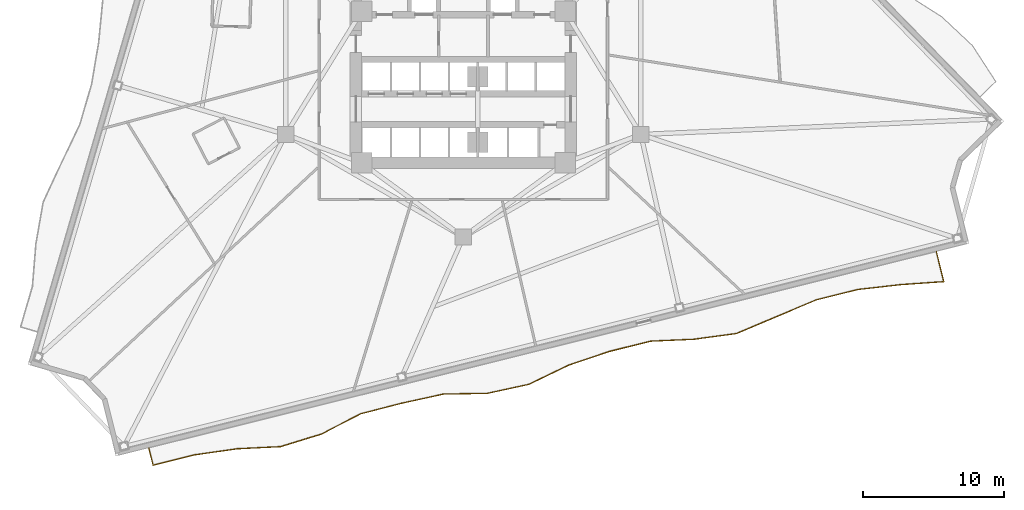
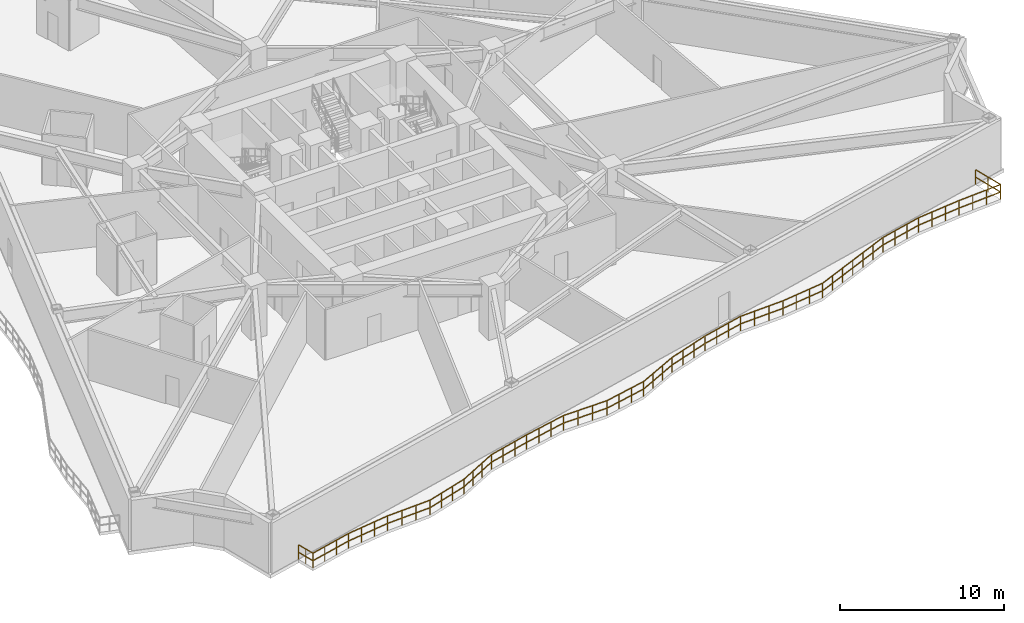
# One storey, part 7 of 10: 1 railing.
"""IFC4 building model written with IfcOpenShell, lengths in metres."""

from ifc_helpers import new_model, si_unit, direction, frame, origin, origin_2d, place, context, subcontext, project, spatial, rectangle, extrude, material, type_object, element, save


model = new_model("IFC4")

# Units and contexts
model_context = context("Model", 3, precision=1e-05, world=origin(), true_north=direction((0.0, 1.0)))
body_context = subcontext(model_context, "Body", "Model", "MODEL_VIEW")
ifc_project = project(units=[si_unit("LENGTHUNIT", "METRE"), si_unit("AREAUNIT", "SQUARE_METRE"), si_unit("VOLUMEUNIT", "CUBIC_METRE"), si_unit("PLANEANGLEUNIT", "RADIAN"), si_unit("MASSUNIT", "GRAM", prefix="KILO")], contexts=[model_context])

# Site, building, storey
site_placement = place(None, origin())
site = spatial("IfcSite", under=ifc_project, at=site_placement, CompositionType="ELEMENT")
building_placement = place(site_placement, origin())
building = spatial("IfcBuilding", under=site, at=building_placement, Name="Apsidion Concourse Tower", CompositionType="ELEMENT")
storey_placement = place(building_placement, frame((0.0, 0.0, 115.0)))
storey = spatial("IfcBuildingStorey", under=building, at=storey_placement, Name="L26", CompositionType="ELEMENT", Elevation=115.0)

# Railing
ifc_material = material(Name="Brushed stainless steel 316", Category="steel")
railing_type = type_object("IfcRailingType", Name="RL-BAL-1120", PredefinedType="BALUSTRADE", material=ifc_material)
railing_placement = place(storey_placement, frame((33.4599609375, -15.544677734375, 0.0)))
element("IfcRailing", 1, at=railing_placement, inside=storey, type_object=railing_type, Name="L26 Face 2 Rippling Balcony Balustrade", PredefinedType="BALUSTRADE", context=body_context, shape_type="SweptSolid", body=[
    extrude(rectangle(XDim=0.048095703125, YDim=0.048095703125, at=origin_2d()), frame((0.0, 0.0, 1.09619140625), z_axis=(0.241824968026, -0.970319887892, 0.0), x_axis=(0.970319887892, 0.241824968026, 0.0)), (0.0, 0.0, 1.0), 2.1826171875),
    extrude(rectangle(XDim=0.048095703125, YDim=0.048095703125, at=origin_2d()), frame((0.0, 0.0, 0.5361328125), z_axis=(0.241824968026, -0.970319887892, 0.0), x_axis=(0.970319887892, 0.241824968026, 0.0)), (0.0, 0.0, 1.0), 2.1826171875),
    extrude(rectangle(XDim=0.048095703125, YDim=0.048095703125, at=origin_2d()), frame((0.52783203125, -2.117919921875, 1.09619140625), z_axis=(-0.997589853503, -0.069386484187, 0.0), x_axis=(0.069386484187, -0.997589853503, 0.0)), (0.0, 0.0, 1.0), 3.068115234375),
    extrude(rectangle(XDim=0.048095703125, YDim=0.048095703125, at=origin_2d()), frame((0.52783203125, -2.117919921875, 0.5361328125), z_axis=(-0.997589853503, -0.069386484187, 0.0), x_axis=(0.069386484187, -0.997589853503, 0.0)), (0.0, 0.0, 1.0), 3.068115234375),
    extrude(rectangle(XDim=0.048095703125, YDim=0.048095703125, at=origin_2d()), frame((-2.532958984375, -2.330810546875, 1.09619140625), z_axis=(-0.99361015568, -0.112866551867, 0.0), x_axis=(0.112866551867, -0.99361015568, 0.0)), (0.0, 0.0, 1.0), 3.0478515625),
    extrude(rectangle(XDim=0.048095703125, YDim=0.048095703125, at=origin_2d()), frame((-2.532958984375, -2.330810546875, 0.5361328125), z_axis=(-0.99361015568, -0.112866551867, 0.0), x_axis=(0.112866551867, -0.99361015568, 0.0)), (0.0, 0.0, 1.0), 3.0478515625),
    extrude(rectangle(XDim=0.048095703125, YDim=0.048095703125, at=origin_2d()), frame((-5.561279296875, -2.6748046875, 1.09619140625), z_axis=(-0.970299139815, -0.241908204231, 0.0), x_axis=(0.241908204231, -0.970299139815, 0.0)), (0.0, 0.0, 1.0), 3.021728515625),
    extrude(rectangle(XDim=0.048095703125, YDim=0.048095703125, at=origin_2d()), frame((-5.561279296875, -2.6748046875, 0.5361328125), z_axis=(-0.970299139815, -0.241908204231, 0.0), x_axis=(0.241908204231, -0.970299139815, 0.0)), (0.0, 0.0, 1.0), 3.021728515625),
    extrude(rectangle(XDim=0.048095703125, YDim=0.048095703125, at=origin_2d()), frame((-8.4931640625, -3.40576171875, 1.09619140625), z_axis=(-0.921527140378, -0.388313957446, 0.0), x_axis=(0.388313957446, -0.921527140378, 0.0)), (0.0, 0.0, 1.0), 3.05810546875),
    extrude(rectangle(XDim=0.048095703125, YDim=0.048095703125, at=origin_2d()), frame((-8.4931640625, -3.40576171875, 0.5361328125), z_axis=(-0.921527140378, -0.388313957446, 0.0), x_axis=(0.388313957446, -0.921527140378, 0.0)), (0.0, 0.0, 1.0), 3.05810546875),
    extrude(rectangle(XDim=0.048095703125, YDim=0.048095703125, at=origin_2d()), frame((-11.311279296875, -4.59326171875, 1.09619140625), z_axis=(-0.92095182735, -0.389676444888, 0.0), x_axis=(0.389676444888, -0.92095182735, 0.0)), (0.0, 0.0, 1.0), 3.05859375),
    extrude(rectangle(XDim=0.048095703125, YDim=0.048095703125, at=origin_2d()), frame((-11.311279296875, -4.59326171875, 0.5361328125), z_axis=(-0.92095182735, -0.389676444888, 0.0), x_axis=(0.389676444888, -0.92095182735, 0.0)), (0.0, 0.0, 1.0), 3.05859375),
    extrude(rectangle(XDim=0.048095703125, YDim=0.048095703125, at=origin_2d()), frame((-14.128173828125, -5.78515625, 1.09619140625), z_axis=(-0.990920847475, -0.134446547145, 0.0), x_axis=(0.134446547145, -0.990920847475, 0.0)), (0.0, 0.0, 1.0), 3.039794921875),
    extrude(rectangle(XDim=0.048095703125, YDim=0.048095703125, at=origin_2d()), frame((-14.128173828125, -5.78515625, 0.5361328125), z_axis=(-0.990920847475, -0.134446547145, 0.0), x_axis=(0.134446547145, -0.990920847475, 0.0)), (0.0, 0.0, 1.0), 3.039794921875),
    extrude(rectangle(XDim=0.048095703125, YDim=0.048095703125, at=origin_2d()), frame((-17.140380859375, -6.19384765625, 1.09619140625), z_axis=(-0.999026952716, -0.044103829172, 0.0), x_axis=(0.044103829172, -0.999026952716, 0.0)), (0.0, 0.0, 1.0), 3.083251953125),
    extrude(rectangle(XDim=0.048095703125, YDim=0.048095703125, at=origin_2d()), frame((-17.140380859375, -6.19384765625, 0.5361328125), z_axis=(-0.999026952716, -0.044103829172, 0.0), x_axis=(0.044103829172, -0.999026952716, 0.0)), (0.0, 0.0, 1.0), 3.083251953125),
    extrude(rectangle(XDim=0.048095703125, YDim=0.048095703125, at=origin_2d()), frame((-20.220703125, -6.329833984375, 1.09619140625), z_axis=(-0.970299139815, -0.241908204231, 0.0), x_axis=(0.241908204231, -0.970299139815, 0.0)), (0.0, 0.0, 1.0), 3.021728515625),
    extrude(rectangle(XDim=0.048095703125, YDim=0.048095703125, at=origin_2d()), frame((-20.220703125, -6.329833984375, 0.5361328125), z_axis=(-0.970299139815, -0.241908204231, 0.0), x_axis=(0.241908204231, -0.970299139815, 0.0)), (0.0, 0.0, 1.0), 3.021728515625),
    extrude(rectangle(XDim=0.048095703125, YDim=0.048095703125, at=origin_2d()), frame((-23.152587890625, -7.060791015625, 1.09619140625), z_axis=(-0.947590450435, -0.319487618296, 0.0), x_axis=(0.319487618296, -0.947590450435, 0.0)), (0.0, 0.0, 1.0), 3.031494140625),
    extrude(rectangle(XDim=0.048095703125, YDim=0.048095703125, at=origin_2d()), frame((-23.152587890625, -7.060791015625, 0.5361328125), z_axis=(-0.947590450435, -0.319487618296, 0.0), x_axis=(0.319487618296, -0.947590450435, 0.0)), (0.0, 0.0, 1.0), 3.031494140625),
    extrude(rectangle(XDim=0.048095703125, YDim=0.048095703125, at=origin_2d()), frame((-26.025146484375, -8.029296875, 1.09619140625), z_axis=(-0.89980093848, -0.436300665952, 0.0), x_axis=(0.436300665952, -0.89980093848, 0.0)), (0.0, 0.0, 1.0), 3.087646484375),
    extrude(rectangle(XDim=0.048095703125, YDim=0.048095703125, at=origin_2d()), frame((-26.025146484375, -8.029296875, 0.5361328125), z_axis=(-0.89980093848, -0.436300665952, 0.0), x_axis=(0.436300665952, -0.89980093848, 0.0)), (0.0, 0.0, 1.0), 3.087646484375),
    extrude(rectangle(XDim=0.048095703125, YDim=0.048095703125, at=origin_2d()), frame((-28.803466796875, -9.37646484375, 1.09619140625), z_axis=(-0.977075664571, -0.212892333593, 0.0), x_axis=(0.212892333593, -0.977075664571, 0.0)), (0.0, 0.0, 1.0), 3.02294921875),
    extrude(rectangle(XDim=0.048095703125, YDim=0.048095703125, at=origin_2d()), frame((-28.803466796875, -9.37646484375, 0.5361328125), z_axis=(-0.977075664571, -0.212892333593, 0.0), x_axis=(0.212892333593, -0.977075664571, 0.0)), (0.0, 0.0, 1.0), 3.02294921875),
    extrude(rectangle(XDim=0.048095703125, YDim=0.048095703125, at=origin_2d()), frame((-31.757080078125, -10.02001953125, 1.09619140625), z_axis=(-0.99987237681, -0.015975922274, 0.0), x_axis=(0.015975922274, -0.99987237681, 0.0)), (0.0, 0.0, 1.0), 3.102294921875),
    extrude(rectangle(XDim=0.048095703125, YDim=0.048095703125, at=origin_2d()), frame((-31.757080078125, -10.02001953125, 0.5361328125), z_axis=(-0.99987237681, -0.015975922274, 0.0), x_axis=(0.015975922274, -0.99987237681, 0.0)), (0.0, 0.0, 1.0), 3.102294921875),
    extrude(rectangle(XDim=0.048095703125, YDim=0.048095703125, at=origin_2d()), frame((-34.85888671875, -10.069580078125, 1.09619140625), z_axis=(-0.976883154683, -0.21377395093, 0.0), x_axis=(0.21377395093, -0.976883154683, 0.0)), (0.0, 0.0, 1.0), 3.02294921875),
    extrude(rectangle(XDim=0.048095703125, YDim=0.048095703125, at=origin_2d()), frame((-34.85888671875, -10.069580078125, 0.5361328125), z_axis=(-0.976883154683, -0.21377395093, 0.0), x_axis=(0.21377395093, -0.976883154683, 0.0)), (0.0, 0.0, 1.0), 3.02294921875),
    extrude(rectangle(XDim=0.048095703125, YDim=0.048095703125, at=origin_2d()), frame((-37.81201171875, -10.7158203125, 1.09619140625), z_axis=(-0.968187083635, -0.250227438706, 0.0), x_axis=(0.250227438706, -0.968187083635, 0.0)), (0.0, 0.0, 1.0), 3.021728515625),
    extrude(rectangle(XDim=0.048095703125, YDim=0.048095703125, at=origin_2d()), frame((-37.81201171875, -10.7158203125, 0.5361328125), z_axis=(-0.968187083635, -0.250227438706, 0.0), x_axis=(0.250227438706, -0.968187083635, 0.0)), (0.0, 0.0, 1.0), 3.021728515625),
    extrude(rectangle(XDim=0.048095703125, YDim=0.048095703125, at=origin_2d()), frame((-40.737548828125, -11.471923828125, 1.09619140625), z_axis=(-0.888114751891, -0.459621787423, 0.0), x_axis=(0.459621787423, -0.888114751891, 0.0)), (0.0, 0.0, 1.0), 3.105712890625),
    extrude(rectangle(XDim=0.048095703125, YDim=0.048095703125, at=origin_2d()), frame((-40.737548828125, -11.471923828125, 0.5361328125), z_axis=(-0.888114751891, -0.459621787423, 0.0), x_axis=(0.459621787423, -0.888114751891, 0.0)), (0.0, 0.0, 1.0), 3.105712890625),
    extrude(rectangle(XDim=0.048095703125, YDim=0.048095703125, at=origin_2d()), frame((-43.495849609375, -12.8994140625, 1.09619140625), z_axis=(-0.955874907552, -0.293773996657, 0.0), x_axis=(0.293773996657, -0.955874907552, 0.0)), (0.0, 0.0, 1.0), 3.02587890625),
    extrude(rectangle(XDim=0.048095703125, YDim=0.048095703125, at=origin_2d()), frame((-43.495849609375, -12.8994140625, 0.5361328125), z_axis=(-0.955874907552, -0.293773996657, 0.0), x_axis=(0.293773996657, -0.955874907552, 0.0)), (0.0, 0.0, 1.0), 3.02587890625),
    extrude(rectangle(XDim=0.048095703125, YDim=0.048095703125, at=origin_2d()), frame((-46.38818359375, -13.788330078125, 1.09619140625), z_axis=(-0.998763975284, -0.049704342607, 0.0), x_axis=(0.049704342607, -0.998763975284, 0.0)), (0.0, 0.0, 1.0), 3.079833984375),
    extrude(rectangle(XDim=0.048095703125, YDim=0.048095703125, at=origin_2d()), frame((-46.38818359375, -13.788330078125, 0.5361328125), z_axis=(-0.998763975284, -0.049704342607, 0.0), x_axis=(0.049704342607, -0.998763975284, 0.0)), (0.0, 0.0, 1.0), 3.079833984375),
    extrude(rectangle(XDim=0.048095703125, YDim=0.048095703125, at=origin_2d()), frame((-49.464111328125, -13.94140625, 1.09619140625), z_axis=(-0.989967168214, -0.141297579096, 0.0), x_axis=(0.141297579096, -0.989967168214, 0.0)), (0.0, 0.0, 1.0), 3.03759765625),
    extrude(rectangle(XDim=0.048095703125, YDim=0.048095703125, at=origin_2d()), frame((-49.464111328125, -13.94140625, 0.5361328125), z_axis=(-0.989967168214, -0.141297579096, 0.0), x_axis=(0.141297579096, -0.989967168214, 0.0)), (0.0, 0.0, 1.0), 3.03759765625),
    extrude(rectangle(XDim=0.048095703125, YDim=0.048095703125, at=origin_2d()), frame((-52.47119140625, -14.37060546875, 1.09619140625), z_axis=(-0.970280172108, -0.241984271418, 0.0), x_axis=(0.241984271418, -0.970280172108, 0.0)), (0.0, 0.0, 1.0), 3.021728515625),
    extrude(rectangle(XDim=0.048095703125, YDim=0.048095703125, at=origin_2d()), frame((-52.47119140625, -14.37060546875, 0.5361328125), z_axis=(-0.970280172108, -0.241984271418, 0.0), x_axis=(0.241984271418, -0.970280172108, 0.0)), (0.0, 0.0, 1.0), 3.021728515625),
    extrude(rectangle(XDim=0.048095703125, YDim=0.048095703125, at=origin_2d()), frame((-55.403076171875, -15.101806640625, 1.09619140625), z_axis=(-0.24198413362, 0.970280206475, 0.0), x_axis=(-0.970280206475, -0.24198413362, 0.0)), (0.0, 0.0, 1.0), 1.25),
    extrude(rectangle(XDim=0.048095703125, YDim=0.048095703125, at=origin_2d()), frame((-55.403076171875, -15.101806640625, 0.5361328125), z_axis=(-0.24198413362, 0.970280206475, 0.0), x_axis=(-0.970280206475, -0.24198413362, 0.0)), (0.0, 0.0, 1.0), 1.25),
    extrude(rectangle(XDim=0.0419921875, YDim=0.0419921875, at=origin_2d()), origin(), (0.0, 0.0, 1.0), 1.072021484375),
    extrude(rectangle(XDim=0.0419921875, YDim=0.0419921875, at=origin_2d()), frame((0.263916015625, -1.05908203125, 0.0)), (0.0, 0.0, 1.0), 1.072021484375),
    extrude(rectangle(XDim=0.0419921875, YDim=0.0419921875, at=origin_2d()), frame((0.52783203125, -2.117919921875, 0.0)), (0.0, 0.0, 1.0), 1.072021484375),
    extrude(rectangle(XDim=0.0419921875, YDim=0.0419921875, at=origin_2d()), frame((-0.492431640625, -2.18896484375, 0.0)), (0.0, 0.0, 1.0), 1.072021484375),
    extrude(rectangle(XDim=0.0419921875, YDim=0.0419921875, at=origin_2d()), frame((-1.5126953125, -2.259765625, 0.0)), (0.0, 0.0, 1.0), 1.072021484375),
    extrude(rectangle(XDim=0.0419921875, YDim=0.0419921875, at=origin_2d()), frame((-2.532958984375, -2.330810546875, 0.0)), (0.0, 0.0, 1.0), 1.072021484375),
    extrude(rectangle(XDim=0.0419921875, YDim=0.0419921875, at=origin_2d()), frame((-3.54248046875, -2.445556640625, 0.0)), (0.0, 0.0, 1.0), 1.072021484375),
    extrude(rectangle(XDim=0.0419921875, YDim=0.0419921875, at=origin_2d()), frame((-4.5517578125, -2.56005859375, 0.0)), (0.0, 0.0, 1.0), 1.072021484375),
    extrude(rectangle(XDim=0.0419921875, YDim=0.0419921875, at=origin_2d()), frame((-5.561279296875, -2.6748046875, 0.0)), (0.0, 0.0, 1.0), 1.072021484375),
    extrude(rectangle(XDim=0.0419921875, YDim=0.0419921875, at=origin_2d()), frame((-6.53857421875, -2.91845703125, 0.0)), (0.0, 0.0, 1.0), 1.072021484375),
    extrude(rectangle(XDim=0.0419921875, YDim=0.0419921875, at=origin_2d()), frame((-7.515869140625, -3.162109375, 0.0)), (0.0, 0.0, 1.0), 1.072021484375),
    extrude(rectangle(XDim=0.0419921875, YDim=0.0419921875, at=origin_2d()), frame((-8.4931640625, -3.40576171875, 0.0)), (0.0, 0.0, 1.0), 1.072021484375),
    extrude(rectangle(XDim=0.0419921875, YDim=0.0419921875, at=origin_2d()), frame((-9.4326171875, -3.801513671875, 0.0)), (0.0, 0.0, 1.0), 1.072021484375),
    extrude(rectangle(XDim=0.0419921875, YDim=0.0419921875, at=origin_2d()), frame((-10.371826171875, -4.197509765625, 0.0)), (0.0, 0.0, 1.0), 1.072021484375),
    extrude(rectangle(XDim=0.0419921875, YDim=0.0419921875, at=origin_2d()), frame((-11.311279296875, -4.59326171875, 0.0)), (0.0, 0.0, 1.0), 1.072021484375),
    extrude(rectangle(XDim=0.0419921875, YDim=0.0419921875, at=origin_2d()), frame((-12.250244140625, -4.990478515625, 0.0)), (0.0, 0.0, 1.0), 1.072021484375),
    extrude(rectangle(XDim=0.0419921875, YDim=0.0419921875, at=origin_2d()), frame((-13.189208984375, -5.387939453125, 0.0)), (0.0, 0.0, 1.0), 1.072021484375),
    extrude(rectangle(XDim=0.0419921875, YDim=0.0419921875, at=origin_2d()), frame((-14.128173828125, -5.78515625, 0.0)), (0.0, 0.0, 1.0), 1.072021484375),
    extrude(rectangle(XDim=0.0419921875, YDim=0.0419921875, at=origin_2d()), frame((-15.13232421875, -5.92138671875, 0.0)), (0.0, 0.0, 1.0), 1.072021484375),
    extrude(rectangle(XDim=0.0419921875, YDim=0.0419921875, at=origin_2d()), frame((-16.13623046875, -6.0576171875, 0.0)), (0.0, 0.0, 1.0), 1.072021484375),
    extrude(rectangle(XDim=0.0419921875, YDim=0.0419921875, at=origin_2d()), frame((-17.140380859375, -6.19384765625, 0.0)), (0.0, 0.0, 1.0), 1.072021484375),
    extrude(rectangle(XDim=0.0419921875, YDim=0.0419921875, at=origin_2d()), frame((-18.167236328125, -6.2392578125, 0.0)), (0.0, 0.0, 1.0), 1.072021484375),
    extrude(rectangle(XDim=0.0419921875, YDim=0.0419921875, at=origin_2d()), frame((-19.19384765625, -6.284423828125, 0.0)), (0.0, 0.0, 1.0), 1.072021484375),
    extrude(rectangle(XDim=0.0419921875, YDim=0.0419921875, at=origin_2d()), frame((-20.220703125, -6.329833984375, 0.0)), (0.0, 0.0, 1.0), 1.072021484375),
    extrude(rectangle(XDim=0.0419921875, YDim=0.0419921875, at=origin_2d()), frame((-21.197998046875, -6.573486328125, 0.0)), (0.0, 0.0, 1.0), 1.072021484375),
    extrude(rectangle(XDim=0.0419921875, YDim=0.0419921875, at=origin_2d()), frame((-22.17529296875, -6.817138671875, 0.0)), (0.0, 0.0, 1.0), 1.072021484375),
    extrude(rectangle(XDim=0.0419921875, YDim=0.0419921875, at=origin_2d()), frame((-23.152587890625, -7.060791015625, 0.0)), (0.0, 0.0, 1.0), 1.072021484375),
    extrude(rectangle(XDim=0.0419921875, YDim=0.0419921875, at=origin_2d()), frame((-24.110107421875, -7.383544921875, 0.0)), (0.0, 0.0, 1.0), 1.072021484375),
    extrude(rectangle(XDim=0.0419921875, YDim=0.0419921875, at=origin_2d()), frame((-25.067626953125, -7.70654296875, 0.0)), (0.0, 0.0, 1.0), 1.072021484375),
    extrude(rectangle(XDim=0.0419921875, YDim=0.0419921875, at=origin_2d()), frame((-26.025146484375, -8.029296875, 0.0)), (0.0, 0.0, 1.0), 1.072021484375),
    extrude(rectangle(XDim=0.0419921875, YDim=0.0419921875, at=origin_2d()), frame((-26.951171875, -8.478271484375, 0.0)), (0.0, 0.0, 1.0), 1.072021484375),
    extrude(rectangle(XDim=0.0419921875, YDim=0.0419921875, at=origin_2d()), frame((-27.87744140625, -8.927490234375, 0.0)), (0.0, 0.0, 1.0), 1.072021484375),
    extrude(rectangle(XDim=0.0419921875, YDim=0.0419921875, at=origin_2d()), frame((-28.803466796875, -9.37646484375, 0.0)), (0.0, 0.0, 1.0), 1.072021484375),
    extrude(rectangle(XDim=0.0419921875, YDim=0.0419921875, at=origin_2d()), frame((-29.7880859375, -9.591064453125, 0.0)), (0.0, 0.0, 1.0), 1.072021484375),
    extrude(rectangle(XDim=0.0419921875, YDim=0.0419921875, at=origin_2d()), frame((-30.7724609375, -9.805419921875, 0.0)), (0.0, 0.0, 1.0), 1.072021484375),
    extrude(rectangle(XDim=0.0419921875, YDim=0.0419921875, at=origin_2d()), frame((-31.757080078125, -10.02001953125, 0.0)), (0.0, 0.0, 1.0), 1.072021484375),
    extrude(rectangle(XDim=0.0419921875, YDim=0.0419921875, at=origin_2d()), frame((-32.791015625, -10.03662109375, 0.0)), (0.0, 0.0, 1.0), 1.072021484375),
    extrude(rectangle(XDim=0.0419921875, YDim=0.0419921875, at=origin_2d()), frame((-33.824951171875, -10.052978515625, 0.0)), (0.0, 0.0, 1.0), 1.072021484375),
    extrude(rectangle(XDim=0.0419921875, YDim=0.0419921875, at=origin_2d()), frame((-34.85888671875, -10.069580078125, 0.0)), (0.0, 0.0, 1.0), 1.072021484375),
    extrude(rectangle(XDim=0.0419921875, YDim=0.0419921875, at=origin_2d()), frame((-35.84326171875, -10.284912109375, 0.0)), (0.0, 0.0, 1.0), 1.072021484375),
    extrude(rectangle(XDim=0.0419921875, YDim=0.0419921875, at=origin_2d()), frame((-36.82763671875, -10.50048828125, 0.0)), (0.0, 0.0, 1.0), 1.072021484375),
    extrude(rectangle(XDim=0.0419921875, YDim=0.0419921875, at=origin_2d()), frame((-37.81201171875, -10.7158203125, 0.0)), (0.0, 0.0, 1.0), 1.072021484375),
    extrude(rectangle(XDim=0.0419921875, YDim=0.0419921875, at=origin_2d()), frame((-38.787109375, -10.9677734375, 0.0)), (0.0, 0.0, 1.0), 1.072021484375),
    extrude(rectangle(XDim=0.0419921875, YDim=0.0419921875, at=origin_2d()), frame((-39.762451171875, -11.219970703125, 0.0)), (0.0, 0.0, 1.0), 1.072021484375),
    extrude(rectangle(XDim=0.0419921875, YDim=0.0419921875, at=origin_2d()), frame((-40.737548828125, -11.471923828125, 0.0)), (0.0, 0.0, 1.0), 1.072021484375),
    extrude(rectangle(XDim=0.0419921875, YDim=0.0419921875, at=origin_2d()), frame((-41.656982421875, -11.94775390625, 0.0)), (0.0, 0.0, 1.0), 1.072021484375),
    extrude(rectangle(XDim=0.0419921875, YDim=0.0419921875, at=origin_2d()), frame((-42.576416015625, -12.423583984375, 0.0)), (0.0, 0.0, 1.0), 1.072021484375),
    extrude(rectangle(XDim=0.0419921875, YDim=0.0419921875, at=origin_2d()), frame((-43.495849609375, -12.8994140625, 0.0)), (0.0, 0.0, 1.0), 1.072021484375),
    extrude(rectangle(XDim=0.0419921875, YDim=0.0419921875, at=origin_2d()), frame((-44.4599609375, -13.19580078125, 0.0)), (0.0, 0.0, 1.0), 1.072021484375),
    extrude(rectangle(XDim=0.0419921875, YDim=0.0419921875, at=origin_2d()), frame((-45.424072265625, -13.491943359375, 0.0)), (0.0, 0.0, 1.0), 1.072021484375),
    extrude(rectangle(XDim=0.0419921875, YDim=0.0419921875, at=origin_2d()), frame((-46.38818359375, -13.788330078125, 0.0)), (0.0, 0.0, 1.0), 1.072021484375),
    extrude(rectangle(XDim=0.0419921875, YDim=0.0419921875, at=origin_2d()), frame((-47.41357421875, -13.83935546875, 0.0)), (0.0, 0.0, 1.0), 1.072021484375),
    extrude(rectangle(XDim=0.0419921875, YDim=0.0419921875, at=origin_2d()), frame((-48.438720703125, -13.890380859375, 0.0)), (0.0, 0.0, 1.0), 1.072021484375),
    extrude(rectangle(XDim=0.0419921875, YDim=0.0419921875, at=origin_2d()), frame((-49.464111328125, -13.94140625, 0.0)), (0.0, 0.0, 1.0), 1.072021484375),
    extrude(rectangle(XDim=0.0419921875, YDim=0.0419921875, at=origin_2d()), frame((-50.466552734375, -14.08447265625, 0.0)), (0.0, 0.0, 1.0), 1.072021484375),
    extrude(rectangle(XDim=0.0419921875, YDim=0.0419921875, at=origin_2d()), frame((-51.46875, -14.2275390625, 0.0)), (0.0, 0.0, 1.0), 1.072021484375),
    extrude(rectangle(XDim=0.0419921875, YDim=0.0419921875, at=origin_2d()), frame((-52.47119140625, -14.37060546875, 0.0)), (0.0, 0.0, 1.0), 1.072021484375),
    extrude(rectangle(XDim=0.0419921875, YDim=0.0419921875, at=origin_2d()), frame((-53.448486328125, -14.6142578125, 0.0)), (0.0, 0.0, 1.0), 1.072021484375),
    extrude(rectangle(XDim=0.0419921875, YDim=0.0419921875, at=origin_2d()), frame((-54.42578125, -14.858154296875, 0.0)), (0.0, 0.0, 1.0), 1.072021484375),
    extrude(rectangle(XDim=0.0419921875, YDim=0.0419921875, at=origin_2d()), frame((-55.403076171875, -15.101806640625, 0.0)), (0.0, 0.0, 1.0), 1.072021484375),
    extrude(rectangle(XDim=0.0419921875, YDim=0.0419921875, at=origin_2d()), frame((-55.55419921875, -14.495361328125, 0.0)), (0.0, 0.0, 1.0), 1.072021484375),
    extrude(rectangle(XDim=0.0419921875, YDim=0.0419921875, at=origin_2d()), frame((-55.70556640625, -13.888916015625, 0.0)), (0.0, 0.0, 1.0), 1.072021484375),
])

save(model, "model.ifc")
